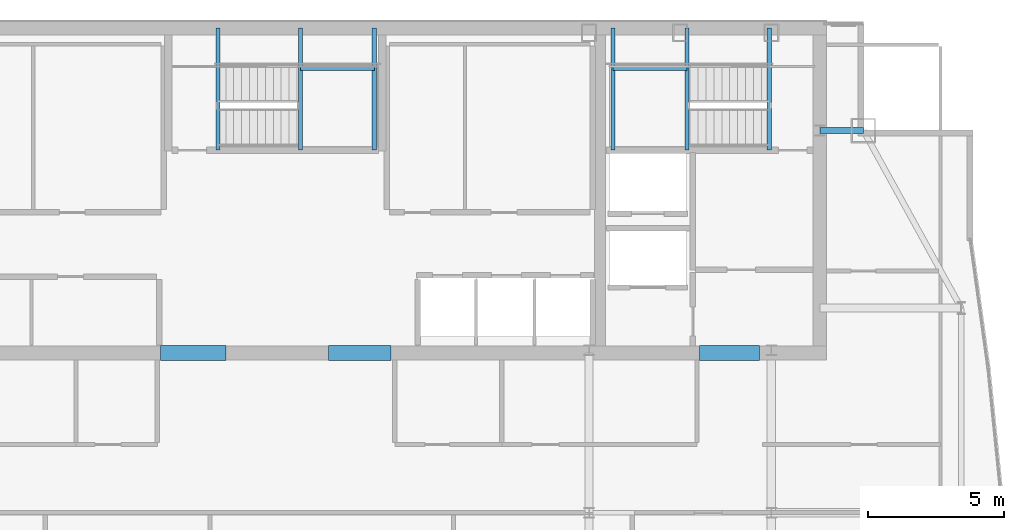
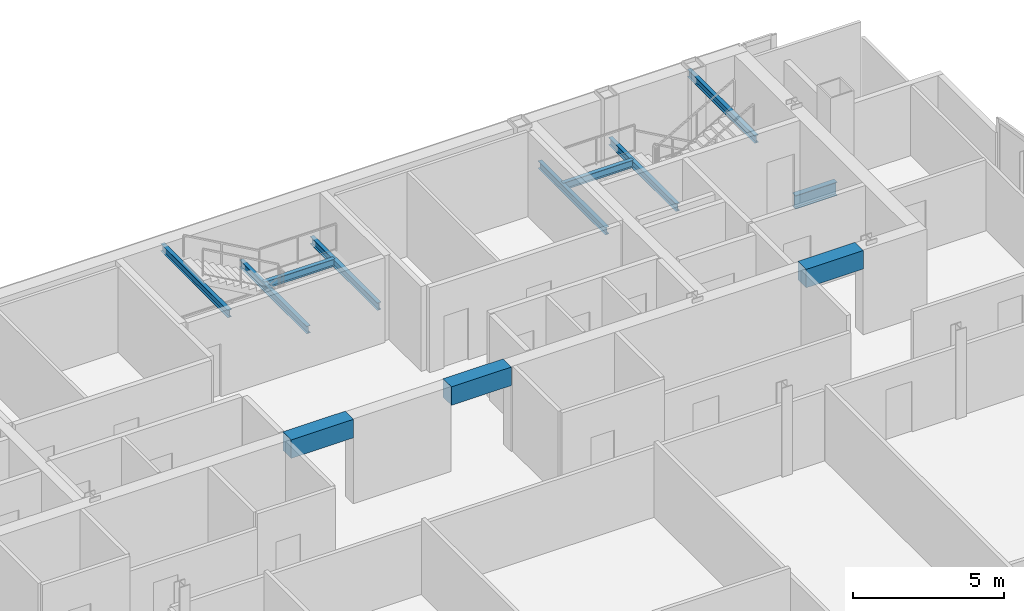
# One storey, part 18 of 26: 12 beams.
"""IFC4 building model written with IfcOpenShell, lengths in metres."""

from ifc_helpers import new_model, si_unit, direction, frame, origin, origin_2d, place, context, subcontext, project, spatial, rectangle, i_section, extrude, material, material_profile, profile_set, type_object, element, save


model = new_model("IFC4")

# Units and contexts
model_context = context("Model", 3, precision=1e-05, world=origin(), true_north=direction((0.0, 1.0)))
body_context = subcontext(model_context, "Body", "Model", "MODEL_VIEW")
ifc_project = project(units=[si_unit("LENGTHUNIT", "METRE"), si_unit("AREAUNIT", "SQUARE_METRE"), si_unit("VOLUMEUNIT", "CUBIC_METRE"), si_unit("PLANEANGLEUNIT", "RADIAN"), si_unit("MASSUNIT", "GRAM", prefix="KILO")], contexts=[model_context])

# Site, building, storey
site_placement = place(None, origin())
site = spatial("IfcSite", under=ifc_project, at=site_placement, CompositionType="ELEMENT")
building_placement = place(site_placement, origin())
building = spatial("IfcBuilding", under=site, at=building_placement, Name="Khoronbel Lancet Exchange", CompositionType="ELEMENT")
storey_placement = place(building_placement, frame((0.0, 0.0, 339.800048828125)))
storey = spatial("IfcBuildingStorey", under=building, at=storey_placement, Name="L88", CompositionType="ELEMENT", Elevation=339.800048828125)

# Beams
ifc_material_1 = material(Name="Steel S355", Category="steel")
ifc_material_profile_1 = material_profile(ifc_material_1, i_section(OverallWidth=0.14990234375, OverallDepth=0.300048828125, WebThickness=0.007080078125, FlangeThickness=0.0107421875, at=origin_2d()), Name="IPE 300")
ifc_profile_set_1 = profile_set([ifc_material_profile_1], Name="Steel S355")
beam_type_1 = type_object("IfcBeamType", Name="BM-BJ8", PredefinedType="JOIST", material=ifc_profile_set_1)
for number, where, z_axis, x_axis, name in (
    (1, (51.580078125, 48.97998046875, 1.449951171875), (0.0, 1.0, 0.0), (-1.0, 0.0, 0.0), "Level L88 stair ST2 landing bearer beam 1"),
    (2, (48.8701171875, 48.97998046875, 1.449951171875), (0.0, 1.0, 0.0), (-1.0, 0.0, 0.0), "Level L88 stair ST2 rear landing bearer beam 1"),
):
    element("IfcBeam", number, at=place(storey_placement, frame(where, z_axis=z_axis, x_axis=x_axis)), inside=storey, type_object=beam_type_1, Name=name, PredefinedType="JOIST", context=body_context, shape_type="SweptSolid", body=[
        extrude(i_section(OverallWidth=0.14990234375, OverallDepth=0.300048828125, WebThickness=0.007080078125, FlangeThickness=0.0107421875, at=origin_2d()), origin(), (0.0, 0.0, 1.0), 4.469970703125),
    ])
beam_1_placement = place(storey_placement, frame((48.8701171875, 51.97998046875, 1.449951171875), z_axis=(1.0, 0.0, 0.0), x_axis=(0.0, 1.0, 0.0)))
element("IfcBeam", 3, at=beam_1_placement, inside=storey, type_object=beam_type_1, Name="Level L88 stair ST2 landing cross trimmer beam 1", PredefinedType="JOIST", context=body_context, shape_type="SweptSolid", body=[
    extrude(i_section(OverallWidth=0.14990234375, OverallDepth=0.300048828125, WebThickness=0.007080078125, FlangeThickness=0.0107421875, at=origin_2d()), origin(), (0.0, 0.0, 1.0), 2.7099609375),
])
for number, where, z_axis, x_axis, name in (
    (4, (54.60009765625, 48.97998046875, 3.159912109375), (0.0, 1.0, 0.0), (-1.0, 0.0, 0.0), "Level L88 stair ST2 upper-flight arrival trimmer beam"),
    (5, (37.419921875, 48.97998046875, 1.449951171875), (0.0, 1.0, 0.0), (-1.0, 0.0, 0.0), "Level L88 stair ST3 landing bearer beam 1"),
    (6, (40.1298828125, 48.97998046875, 1.449951171875), (0.0, 1.0, 0.0), (-1.0, 0.0, 0.0), "Level L88 stair ST3 rear landing bearer beam 1"),
):
    element("IfcBeam", number, at=place(storey_placement, frame(where, z_axis=z_axis, x_axis=x_axis)), inside=storey, type_object=beam_type_1, Name=name, PredefinedType="JOIST", context=body_context, shape_type="SweptSolid", body=[
        extrude(i_section(OverallWidth=0.14990234375, OverallDepth=0.300048828125, WebThickness=0.007080078125, FlangeThickness=0.0107421875, at=origin_2d()), origin(), (0.0, 0.0, 1.0), 4.469970703125),
    ])
beam_2_placement = place(storey_placement, frame((37.419921875, 51.97998046875, 1.449951171875), z_axis=(1.0, 0.0, 0.0), x_axis=(0.0, 1.0, 0.0)))
element("IfcBeam", 7, at=beam_2_placement, inside=storey, type_object=beam_type_1, Name="Level L88 stair ST3 landing cross trimmer beam 1", PredefinedType="JOIST", context=body_context, shape_type="SweptSolid", body=[
    extrude(i_section(OverallWidth=0.14990234375, OverallDepth=0.300048828125, WebThickness=0.007080078125, FlangeThickness=0.0107421875, at=origin_2d()), origin(), (0.0, 0.0, 1.0), 2.7099609375),
])
beam_3_placement = place(storey_placement, frame((34.39990234375, 48.97998046875, 3.159912109375), z_axis=(0.0, 1.0, 0.0), x_axis=(-1.0, 0.0, 0.0)))
element("IfcBeam", 8, at=beam_3_placement, inside=storey, type_object=beam_type_1, Name="Level L88 stair ST3 upper-flight arrival trimmer beam", PredefinedType="JOIST", context=body_context, shape_type="SweptSolid", body=[
    extrude(i_section(OverallWidth=0.14990234375, OverallDepth=0.300048828125, WebThickness=0.007080078125, FlangeThickness=0.0107421875, at=origin_2d()), origin(), (0.0, 0.0, 1.0), 4.469970703125),
])
ifc_material_2 = material(Name="Concrete C60/75", Category="concrete")
ifc_material_profile_2 = material_profile(ifc_material_2, rectangle(XDim=0.550048828125, YDim=0.75, at=origin_2d()), Name="RC 550x750")
ifc_profile_set_2 = profile_set([ifc_material_profile_2], Name="Concrete C60/75")
beam_type_2 = type_object("IfcBeamType", Name="BM-BL2", PredefinedType="LINTEL", material=ifc_profile_set_2)
beam_4_placement = place(storey_placement, frame((32.300048828125, 41.550048828125, 3.06494140625), z_axis=(1.0, 0.0, 0.0), x_axis=(0.0, 1.0, 0.0)))
element("IfcBeam", 9, at=beam_4_placement, inside=storey, type_object=beam_type_2, Name="Level L88 rear core coupling lintel L2", PredefinedType="LINTEL", context=body_context, shape_type="SweptSolid", body=[
    extrude(rectangle(XDim=0.550048828125, YDim=0.75, at=origin_2d()), origin(), (0.0, 0.0, 1.0), 2.39990234375),
])
beam_5_placement = place(storey_placement, frame((38.449951171875, 41.550048828125, 3.06494140625), z_axis=(1.0, 0.0, 0.0), x_axis=(0.0, 1.0, 0.0)))
element("IfcBeam", 10, at=beam_5_placement, inside=storey, type_object=beam_type_2, Name="Level L88 rear core coupling lintel L3", PredefinedType="LINTEL", context=body_context, shape_type="SweptSolid", body=[
    extrude(rectangle(XDim=0.550048828125, YDim=0.75, at=origin_2d()), origin(), (0.0, 0.0, 1.0), 2.300048828125),
])
beam_6_placement = place(storey_placement, frame((52.050048828125, 41.550048828125, 3.06494140625), z_axis=(1.0, 0.0, 0.0), x_axis=(0.0, 1.0, 0.0)))
element("IfcBeam", 11, at=beam_6_placement, inside=storey, type_object=beam_type_2, Name="Level L88 rear core coupling lintel L4", PredefinedType="LINTEL", context=body_context, shape_type="SweptSolid", body=[
    extrude(rectangle(XDim=0.550048828125, YDim=0.75, at=origin_2d()), origin(), (0.0, 0.0, 1.0), 2.199951171875),
])
ifc_material_profile_3 = material_profile(ifc_material_1, i_section(OverallWidth=0.2099609375, OverallDepth=0.550048828125, WebThickness=0.010986328125, FlangeThickness=0.01708984375, at=origin_2d()), Name="IPE 550")
ifc_profile_set_3 = profile_set([ifc_material_profile_3], Name="Steel S355")
beam_type_3 = type_object("IfcBeamType", Name="BM-BSP3", PredefinedType="SPANDREL", material=ifc_profile_set_3)
beam_7_placement = place(storey_placement, frame((58.050048828125, 49.699951171875, -0.43505859375), z_axis=(-1.0, 0.0, 0.0), x_axis=(0.0, -1.0, 0.0)))
element("IfcBeam", 12, at=beam_7_placement, inside=storey, type_object=beam_type_3, Name="Level L88 north flank tie spandrel SP21", PredefinedType="SPANDREL", context=body_context, shape_type="SweptSolid", body=[
    extrude(i_section(OverallWidth=0.2099609375, OverallDepth=0.550048828125, WebThickness=0.010986328125, FlangeThickness=0.01708984375, at=origin_2d()), origin(), (0.0, 0.0, 1.0), 1.60009765625),
])

save(model, "model.ifc")
